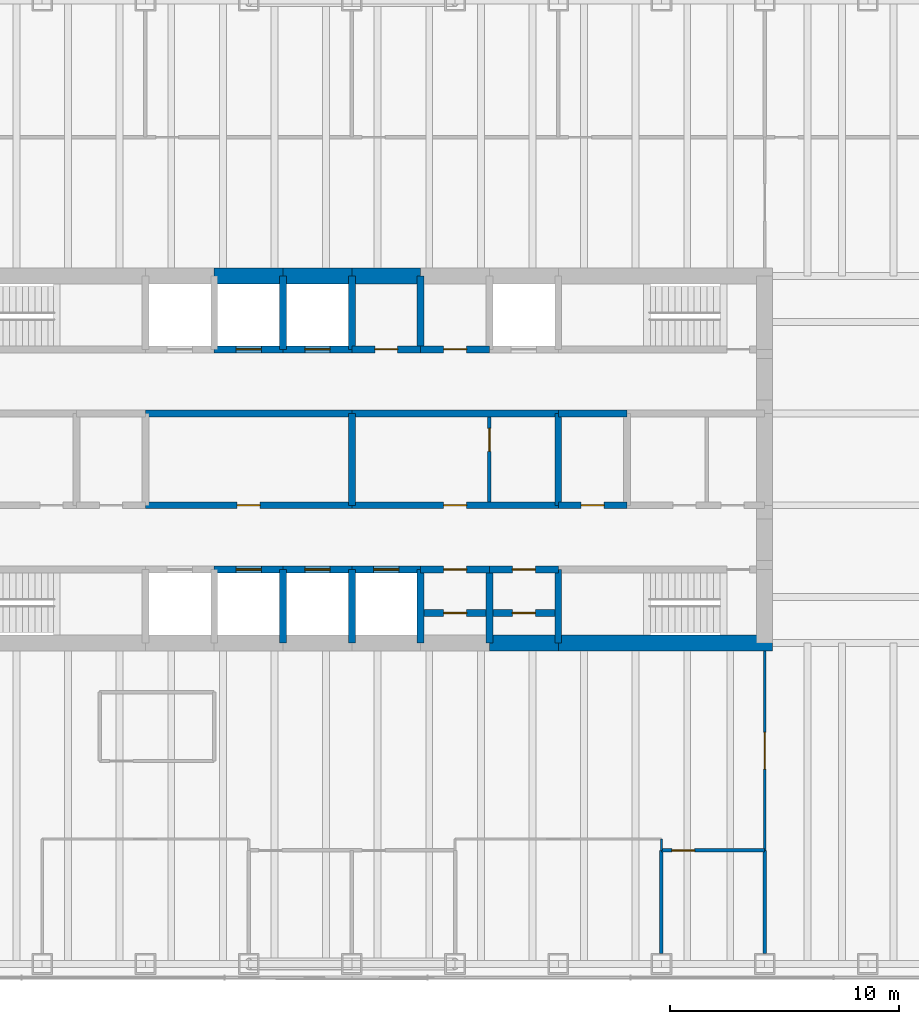
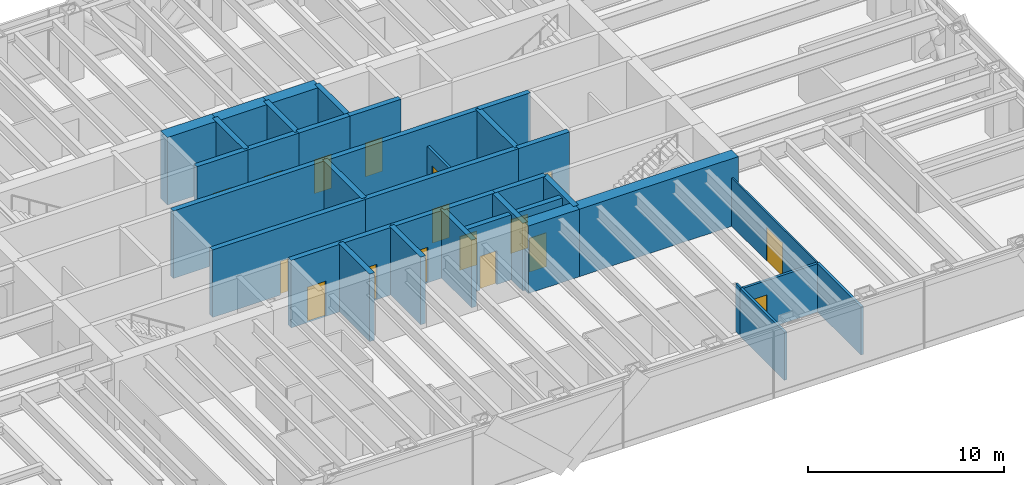
# One storey, part 12 of 15: 38 walls, 17 doors, 17 openings.
"""IFC4 building model written with IfcOpenShell, lengths in metres."""

import ifcopenshell
import ifcopenshell.guid

model = None  # the IFC model being written
_history = None  # IfcOwnerHistory: only IFC2X3 demands one
_inside = {}  # id of a spatial element -> (the spatial element, [elements in it])
_under = {}  # id of a project, library or spatial element -> (it, [spatial elements below it])
_declared = {}  # id of a project -> (the project, [libraries it declares])
_typed = {}  # id of a type object -> (the type object, [elements of that type])
_made_of = {}  # id of a material, layer set ... -> (it, [elements and type objects made of it])


def new_model(schema):
    """Start an empty IFC model of exactly this schema.

    Asked for "IFC4X3", IfcOpenShell would pick the latest addendum, in which some entities
    have other attributes; the version numbers below select the first issue.
    IFC2X3 requires an IfcOwnerHistory on every rooted entity: one is made here for all.
    """
    global model, _history
    if schema == "IFC4X3":
        model = ifcopenshell.file(schema_version=(4, 3, 0, 0))
    else:
        model = ifcopenshell.file(schema=schema)
    _inside.clear()
    _under.clear()
    _declared.clear()
    _typed.clear()
    _made_of.clear()
    _history = None
    if model.schema == "IFC2X3":
        org = make("IfcOrganization", Name="unknown")
        user = make(
            "IfcPersonAndOrganization",
            ThePerson=make("IfcPerson", FamilyName="unknown"),
            TheOrganization=org,
        )
        app = make(
            "IfcApplication",
            ApplicationDeveloper=org,
            Version="unknown",
            ApplicationFullName="unknown",
            ApplicationIdentifier="unknown",
        )
        _history = make(
            "IfcOwnerHistory",
            OwningUser=user,
            OwningApplication=app,
            ChangeAction="ADDED",
            CreationDate=0,
        )
    return model


def make(cls, **values):
    """One entity of the class cls with the attributes given. An attribute that is None is left unset."""
    return model.create_entity(
        cls, **{name: value for name, value in values.items() if value is not None}
    )


def rooted(cls, **values):
    """An entity with a GlobalId (a new one), such as an element, a storey or a relation."""
    return make(cls, GlobalId=ifcopenshell.guid.new(), OwnerHistory=_history, **values)


def si_unit(unit_type, name, prefix=None):
    """IfcSIUnit, for example si_unit("LENGTHUNIT", "METRE", prefix="MILLI")."""
    return make("IfcSIUnit", UnitType=unit_type, Prefix=prefix, Name=name)


def assignment(units):
    """IfcUnitAssignment: the units of a project."""
    return None if units is None else make("IfcUnitAssignment", Units=units)


def point(xyz):
    """IfcCartesianPoint."""
    return None if xyz is None else make("IfcCartesianPoint", Coordinates=xyz)


def direction(xyz):
    """IfcDirection."""
    return None if xyz is None else make("IfcDirection", DirectionRatios=xyz)


def frame(location, z_axis=None, x_axis=None):
    """IfcAxis2Placement3D, a coordinate frame: its origin and axes. An axis left out is left unset."""
    return make(
        "IfcAxis2Placement3D",
        Location=point(location),
        Axis=direction(z_axis),
        RefDirection=direction(x_axis),
    )


def frame_2d(location, x_axis=None):
    """IfcAxis2Placement2D, a coordinate frame in the plane: its origin and x axis."""
    return make(
        "IfcAxis2Placement2D", Location=point(location), RefDirection=direction(x_axis)
    )


def origin():
    """The frame at (0, 0, 0) with its axes left unset."""
    return frame((0.0, 0.0, 0.0))


def place(relative_to, where):
    """IfcLocalPlacement: puts the frame where relative to a parent placement (None: the world)."""
    return make(
        "IfcLocalPlacement", PlacementRelTo=relative_to, RelativePlacement=where
    )


def context(
    kind, dimensions, precision=None, world=None, true_north=None, identifier=None
):
    """IfcGeometricRepresentationContext, for example the 3D "Model" context."""
    return make(
        "IfcGeometricRepresentationContext",
        ContextIdentifier=identifier,
        ContextType=kind,
        CoordinateSpaceDimension=dimensions,
        Precision=precision,
        WorldCoordinateSystem=world,
        TrueNorth=true_north,
    )


def subcontext(parent, identifier, kind, view, scale=None):
    """IfcGeometricRepresentationSubContext, for example "Body" below "Model"."""
    return make(
        "IfcGeometricRepresentationSubContext",
        ContextIdentifier=identifier,
        ContextType=kind,
        ParentContext=parent,
        TargetScale=scale,
        TargetView=view,
    )


def project(units=None, contexts=None):
    """IfcProject with its units and contexts."""
    return rooted(
        "IfcProject",
        Name="project",
        RepresentationContexts=contexts,
        UnitsInContext=assignment(units),
    )


def spatial(cls, under=None, at=None, **own):
    """A site, building, storey or space (cls), placed at a placement, below another one or the project."""
    s = rooted(cls, ObjectPlacement=at, **own)
    if under is not None:
        _under.setdefault(under.id(), (under, []))[1].append(s)
    return s


def profile(cls, at=None, kind="AREA", **sizes):
    """A parametric profile (cls). Its sizes go by their IFC names, for example OverallWidth=200.0."""
    return make(cls, ProfileType=kind, Position=at, **sizes)


def rectangle(**sizes):
    """IfcRectangleProfileDef."""
    return profile("IfcRectangleProfileDef", **sizes)


def extrude(swept, where, along, depth):
    """IfcExtrudedAreaSolid: the profile swept, set in the frame where, extruded along a direction by depth."""
    return make(
        "IfcExtrudedAreaSolid",
        SweptArea=swept,
        Position=where,
        ExtrudedDirection=direction(along),
        Depth=depth,
    )


def shape(context_of_items, identifier, shape_type, items):
    """IfcShapeRepresentation: the items that make up one representation, for example the "Body"."""
    return make(
        "IfcShapeRepresentation",
        ContextOfItems=context_of_items,
        RepresentationIdentifier=identifier,
        RepresentationType=shape_type,
        Items=items,
    )


def material(Name=None, Category=None):
    """IfcMaterial."""
    return make("IfcMaterial", Name=Name, Category=Category)


def layer(
    of_material, thickness, ventilated=None, Name=None, Category=None, Priority=None
):
    """IfcMaterialLayer: one layer of a wall or slab, of a material (None: an air gap)."""
    return make(
        "IfcMaterialLayer",
        Material=of_material,
        LayerThickness=thickness,
        IsVentilated=ventilated,
        Name=Name,
        Category=Category,
        Priority=Priority,
    )


def layer_set(layers, Name=None):
    """IfcMaterialLayerSet."""
    return make("IfcMaterialLayerSet", MaterialLayers=layers, LayerSetName=Name)


def made_of(thing, what):
    """Note that an element or type object is made of a material, layer set ...; save() writes the relation."""
    if what is not None:
        _made_of.setdefault(what.id(), (what, []))[1].append(thing)
    return thing


def type_object(cls, material=None, **own):
    """A type object (cls), such as IfcWallType, which elements share."""
    return made_of(rooted(cls, **own), material)


def element(
    cls,
    number,
    at=None,
    inside=None,
    cuts=None,
    type_object=None,
    material=None,
    context=None,
    identifier="Body",
    shape_type=None,
    held_by="IfcProductDefinitionShape",
    body=None,
    shapes=None,
    **own,
):
    """One element of the class cls, such as IfcWall. Its Tag is "e" and its number.

    at: its placement. inside: the storey or other place that contains it. cuts: it is an
    opening in that element (IfcRelVoidsElement). A single representation is given by context,
    identifier, shape_type and body (its items); several are given by shapes. held_by: the class
    of the entity that holds the representations. save() writes the other relations.
    """
    e = rooted(cls, Tag="e%d" % number, ObjectPlacement=at, **own)
    if body is not None:
        shapes = [shape(context, identifier, shape_type, body)]
    if shapes is not None:
        e.Representation = make(held_by, Representations=shapes)
    if inside is not None:
        _inside.setdefault(inside.id(), (inside, []))[1].append(e)
    if cuts is not None:
        rooted(
            "IfcRelVoidsElement", RelatingBuildingElement=cuts, RelatedOpeningElement=e
        )
    if type_object is not None:
        _typed.setdefault(type_object.id(), (type_object, []))[1].append(e)
    return made_of(e, material)


def fill(opening, filler):
    """IfcRelFillsElement: the door or window that sits in an opening."""
    return rooted(
        "IfcRelFillsElement",
        RelatingOpeningElement=opening,
        RelatedBuildingElement=filler,
    )


def aggregate(whole, parts):
    """IfcRelAggregates: a whole, such as a stair, and the parts it consists of."""
    return rooted("IfcRelAggregates", RelatingObject=whole, RelatedObjects=parts)


def save(model, path):
    """Write the relations noted so far, then the file.

    IfcRelAggregates (storeys below a building ...), IfcRelContainedInSpatialStructure (elements
    in a storey), IfcRelDefinesByType, IfcRelAssociatesMaterial and IfcRelDeclares: one each for
    every whole, place, type object, material and project.
    """
    for whole, parts in _under.values():
        aggregate(whole, parts)
    for where, things in _inside.values():
        rooted(
            "IfcRelContainedInSpatialStructure",
            RelatedElements=things,
            RelatingStructure=where,
        )
    for kind, things in _typed.values():
        rooted("IfcRelDefinesByType", RelatedObjects=things, RelatingType=kind)
    for what, things in _made_of.values():
        rooted("IfcRelAssociatesMaterial", RelatedObjects=things, RelatingMaterial=what)
    for by, libraries in _declared.values():
        rooted("IfcRelDeclares", RelatingContext=by, RelatedDefinitions=libraries)
    model.write(path)


model = new_model("IFC4")

# Units and contexts
model_context = context("Model", 3, precision=1e-05, world=origin(), true_north=direction((0.0, 1.0)))
body_context = subcontext(model_context, "Body", "Model", "MODEL_VIEW")
ifc_project = project(units=[si_unit("LENGTHUNIT", "METRE"), si_unit("AREAUNIT", "SQUARE_METRE"), si_unit("VOLUMEUNIT", "CUBIC_METRE"), si_unit("PLANEANGLEUNIT", "RADIAN"), si_unit("MASSUNIT", "GRAM", prefix="KILO")], contexts=[model_context])

# Site, building, storey
site_placement = place(None, origin())
site = spatial("IfcSite", under=ifc_project, at=site_placement, CompositionType="ELEMENT")
building_placement = place(site_placement, origin())
building = spatial("IfcBuilding", under=site, at=building_placement, Name="Rheinbord Bourse Tower", CompositionType="ELEMENT")
storey_placement = place(building_placement, frame((0.0, 0.0, 275.300048828125)))
storey = spatial("IfcBuildingStorey", under=building, at=storey_placement, Name="L62", CompositionType="ELEMENT", Elevation=275.300048828125)

# Wall, opening, door
ifc_material_1 = material(Name="Concrete C50/60", Category="concrete")
ifc_layer_1 = layer(ifc_material_1, 0.300048828125)
ifc_layer_set_1 = layer_set([ifc_layer_1], Name="CORE INNER WALL 300")
wall_type_1 = type_object("IfcWallType", Name="CORE INNER WALL 300", PredefinedType="SOLIDWALL", material=ifc_layer_set_1)
wall_1_placement = place(storey_placement, frame((30.0, 19.199951171875, 0.0), z_axis=(0.0, 0.0, 1.0), x_axis=(1.0, 0.0, 0.0)))
wall_1 = element("IfcWall", 1, at=wall_1_placement, inside=storey, type_object=wall_type_1, Name="Core wall A3 L62", PredefinedType="SOLIDWALL", context=body_context, shape_type="SweptSolid", body=[
    extrude(rectangle(XDim=3.0, YDim=0.300048828125, at=frame_2d((1.5, 0.0))), origin(), (0.0, 0.0, 1.0), 4.199951171875),
])
opening_1_placement = place(wall_1_placement, frame((0.949951171875, 0.0, 0.0)))
opening_1 = element("IfcOpeningElement", 2, at=opening_1_placement, cuts=wall_1, Name="Opening PD1", PredefinedType="OPENING", context=body_context, shape_type="SweptSolid", body=[
    extrude(rectangle(XDim=1.10009765625, YDim=2.199951171875, at=frame_2d((0.550048828125, 1.10009765625))), frame((0.0, 0.159912109375, 0.0), z_axis=(0.0, -1.0, 0.0), x_axis=(1.0, 0.0, 0.0)), (0.0, 0.0, 1.0), 0.320068359375),
])
ifc_material_2 = material(Name="Steel landing door", Category="steel")
door_type_1 = type_object("IfcDoorType", Name="LIFT LANDING DOOR 1100", OperationType="DOUBLE_DOOR_SLIDING", PredefinedType="USERDEFINED", material=ifc_material_2)
door_1_placement = place(opening_1_placement, origin())
door_1 = element("IfcDoor", 3, at=door_1_placement, inside=storey, type_object=door_type_1, Name="Lift landing door PD1 L62", ObjectType="LIFT LANDING DOOR", OperationType="DOUBLE_DOOR_SLIDING", OverallHeight=2.199951171875, OverallWidth=1.10009765625, PredefinedType="USERDEFINED", context=body_context, shape_type="SweptSolid", body=[
    extrude(rectangle(XDim=1.10009765625, YDim=2.199951171875, at=frame_2d((0.550048828125, 1.10009765625))), frame((0.0, 0.02490234375, 0.0), z_axis=(0.0, -1.0, 0.0), x_axis=(1.0, 0.0, 0.0)), (0.0, 0.0, 1.0), 0.050048828125),
])
fill(opening_1, door_1)

wall_2_placement = place(storey_placement, frame((33.0, 19.199951171875, 0.0), z_axis=(0.0, 0.0, 1.0), x_axis=(1.0, 0.0, 0.0)))
wall_2 = element("IfcWall", 4, at=wall_2_placement, inside=storey, type_object=wall_type_1, Name="Core wall A4 L62", PredefinedType="SOLIDWALL", context=body_context, shape_type="SweptSolid", body=[
    extrude(rectangle(XDim=3.0, YDim=0.300048828125, at=frame_2d((1.5, 0.0))), origin(), (0.0, 0.0, 1.0), 4.199951171875),
])
opening_2_placement = place(wall_2_placement, frame((0.949951171875, 0.0, 0.0)))
opening_2 = element("IfcOpeningElement", 5, at=opening_2_placement, cuts=wall_2, Name="Opening PD2", PredefinedType="OPENING", context=body_context, shape_type="SweptSolid", body=[
    extrude(rectangle(XDim=1.10009765625, YDim=2.199951171875, at=frame_2d((0.550048828125, 1.10009765625))), frame((0.0, 0.159912109375, 0.0), z_axis=(0.0, -1.0, 0.0), x_axis=(1.0, 0.0, 0.0)), (0.0, 0.0, 1.0), 0.320068359375),
])
door_2_placement = place(opening_2_placement, origin())
door_2 = element("IfcDoor", 6, at=door_2_placement, inside=storey, type_object=door_type_1, Name="Lift landing door PD2 L62", ObjectType="LIFT LANDING DOOR", OperationType="DOUBLE_DOOR_SLIDING", OverallHeight=2.199951171875, OverallWidth=1.10009765625, PredefinedType="USERDEFINED", context=body_context, shape_type="SweptSolid", body=[
    extrude(rectangle(XDim=1.10009765625, YDim=2.199951171875, at=frame_2d((0.550048828125, 1.10009765625))), frame((0.0, 0.02490234375, 0.0), z_axis=(0.0, -1.0, 0.0), x_axis=(1.0, 0.0, 0.0)), (0.0, 0.0, 1.0), 0.050048828125),
])
fill(opening_2, door_2)

wall_3_placement = place(storey_placement, frame((36.0, 19.199951171875, 0.0), z_axis=(0.0, 0.0, 1.0), x_axis=(1.0, 0.0, 0.0)))
wall_3 = element("IfcWall", 7, at=wall_3_placement, inside=storey, type_object=wall_type_1, Name="Core wall A5 L62", PredefinedType="SOLIDWALL", context=body_context, shape_type="SweptSolid", body=[
    extrude(rectangle(XDim=3.0, YDim=0.300048828125, at=frame_2d((1.5, 0.0))), origin(), (0.0, 0.0, 1.0), 4.199951171875),
])
opening_3_placement = place(wall_3_placement, frame((0.949951171875, 0.0, 0.0)))
opening_3 = element("IfcOpeningElement", 8, at=opening_3_placement, cuts=wall_3, Name="Opening PD3", PredefinedType="OPENING", context=body_context, shape_type="SweptSolid", body=[
    extrude(rectangle(XDim=1.10009765625, YDim=2.199951171875, at=frame_2d((0.550048828125, 1.10009765625))), frame((0.0, 0.159912109375, 0.0), z_axis=(0.0, -1.0, 0.0), x_axis=(1.0, 0.0, 0.0)), (0.0, 0.0, 1.0), 0.320068359375),
])
door_3_placement = place(opening_3_placement, origin())
door_3 = element("IfcDoor", 9, at=door_3_placement, inside=storey, type_object=door_type_1, Name="Lift landing door PD3 L62", ObjectType="LIFT LANDING DOOR", OperationType="DOUBLE_DOOR_SLIDING", OverallHeight=2.199951171875, OverallWidth=1.10009765625, PredefinedType="USERDEFINED", context=body_context, shape_type="SweptSolid", body=[
    extrude(rectangle(XDim=1.10009765625, YDim=2.199951171875, at=frame_2d((0.550048828125, 1.10009765625))), frame((0.0, 0.02490234375, 0.0), z_axis=(0.0, -1.0, 0.0), x_axis=(1.0, 0.0, 0.0)), (0.0, 0.0, 1.0), 0.050048828125),
])
fill(opening_3, door_3)

wall_4_placement = place(storey_placement, frame((39.0, 19.199951171875, 0.0), z_axis=(0.0, 0.0, 1.0), x_axis=(1.0, 0.0, 0.0)))
wall_4 = element("IfcWall", 10, at=wall_4_placement, inside=storey, type_object=wall_type_1, Name="Core wall A6 L62", PredefinedType="SOLIDWALL", context=body_context, shape_type="SweptSolid", body=[
    extrude(rectangle(XDim=3.0, YDim=0.300048828125, at=frame_2d((1.5, 0.0))), origin(), (0.0, 0.0, 1.0), 4.199951171875),
])
opening_4_placement = place(wall_4_placement, frame((1.0, 0.0, 0.0)))
opening_4 = element("IfcOpeningElement", 11, at=opening_4_placement, cuts=wall_4, Name="Opening 62R8", PredefinedType="OPENING", context=body_context, shape_type="SweptSolid", body=[
    extrude(rectangle(XDim=1.0, YDim=2.10009765625, at=frame_2d((0.5, 1.050048828125))), frame((0.0, 0.159912109375, 0.0), z_axis=(0.0, -1.0, 0.0), x_axis=(1.0, 0.0, 0.0)), (0.0, 0.0, 1.0), 0.320068359375),
])
ifc_material_3 = material(Name="Steel door", Category="steel")
door_type_2 = type_object("IfcDoorType", Name="DOOR 1000 EI30", OperationType="SINGLE_SWING_LEFT", PredefinedType="DOOR", material=ifc_material_3)
door_4_placement = place(opening_4_placement, origin())
door_4 = element("IfcDoor", 12, at=door_4_placement, inside=storey, type_object=door_type_2, Name="Supplies store door L62", OperationType="SINGLE_SWING_LEFT", OverallHeight=2.10009765625, OverallWidth=1.0, PredefinedType="DOOR", context=body_context, shape_type="SweptSolid", body=[
    extrude(rectangle(XDim=1.0, YDim=2.10009765625, at=frame_2d((0.5, 1.050048828125))), frame((0.0, 0.02490234375, 0.0), z_axis=(0.0, -1.0, 0.0), x_axis=(1.0, 0.0, 0.0)), (0.0, 0.0, 1.0), 0.050048828125),
])
fill(opening_4, door_4)

wall_5_placement = place(storey_placement, frame((42.0, 19.199951171875, 0.0), z_axis=(0.0, 0.0, 1.0), x_axis=(1.0, 0.0, 0.0)))
wall_5 = element("IfcWall", 13, at=wall_5_placement, inside=storey, type_object=wall_type_1, Name="Core wall A7 L62", PredefinedType="SOLIDWALL", context=body_context, shape_type="SweptSolid", body=[
    extrude(rectangle(XDim=3.0, YDim=0.300048828125, at=frame_2d((1.5, 0.0))), origin(), (0.0, 0.0, 1.0), 4.199951171875),
])
opening_5_placement = place(wall_5_placement, frame((1.0, 0.0, 0.0)))
opening_5 = element("IfcOpeningElement", 14, at=opening_5_placement, cuts=wall_5, Name="Opening 62R9", PredefinedType="OPENING", context=body_context, shape_type="SweptSolid", body=[
    extrude(rectangle(XDim=1.0, YDim=2.10009765625, at=frame_2d((0.5, 1.050048828125))), frame((0.0, 0.159912109375, 0.0), z_axis=(0.0, -1.0, 0.0), x_axis=(1.0, 0.0, 0.0)), (0.0, 0.0, 1.0), 0.320068359375),
])
door_5_placement = place(opening_5_placement, origin())
door_5 = element("IfcDoor", 15, at=door_5_placement, inside=storey, type_object=door_type_2, Name="Cleaner's store door L62", OperationType="SINGLE_SWING_LEFT", OverallHeight=2.10009765625, OverallWidth=1.0, PredefinedType="DOOR", context=body_context, shape_type="SweptSolid", body=[
    extrude(rectangle(XDim=1.0, YDim=2.10009765625, at=frame_2d((0.5, 1.050048828125))), frame((0.0, 0.02490234375, 0.0), z_axis=(0.0, -1.0, 0.0), x_axis=(1.0, 0.0, 0.0)), (0.0, 0.0, 1.0), 0.050048828125),
])
fill(opening_5, door_5)

wall_6_placement = place(storey_placement, frame((30.0, 28.800048828125, 0.0), z_axis=(0.0, 0.0, 1.0), x_axis=(1.0, 0.0, 0.0)))
wall_6 = element("IfcWall", 16, at=wall_6_placement, inside=storey, type_object=wall_type_1, Name="Core wall B3 L62", PredefinedType="SOLIDWALL", context=body_context, shape_type="SweptSolid", body=[
    extrude(rectangle(XDim=3.0, YDim=0.300048828125, at=frame_2d((1.5, 0.0))), origin(), (0.0, 0.0, 1.0), 4.199951171875),
])
opening_6_placement = place(wall_6_placement, frame((0.949951171875, 0.0, 0.0)))
opening_6 = element("IfcOpeningElement", 17, at=opening_6_placement, cuts=wall_6, Name="Opening PD4", PredefinedType="OPENING", context=body_context, shape_type="SweptSolid", body=[
    extrude(rectangle(XDim=1.10009765625, YDim=2.199951171875, at=frame_2d((0.550048828125, 1.10009765625))), frame((0.0, 0.159912109375, 0.0), z_axis=(0.0, -1.0, 0.0), x_axis=(1.0, 0.0, 0.0)), (0.0, 0.0, 1.0), 0.320068359375),
])
door_6_placement = place(opening_6_placement, origin())
door_6 = element("IfcDoor", 18, at=door_6_placement, inside=storey, type_object=door_type_1, Name="Lift landing door PD4 L62", ObjectType="LIFT LANDING DOOR", OperationType="DOUBLE_DOOR_SLIDING", OverallHeight=2.199951171875, OverallWidth=1.10009765625, PredefinedType="USERDEFINED", context=body_context, shape_type="SweptSolid", body=[
    extrude(rectangle(XDim=1.10009765625, YDim=2.199951171875, at=frame_2d((0.550048828125, 1.10009765625))), frame((0.0, 0.02490234375, 0.0), z_axis=(0.0, -1.0, 0.0), x_axis=(1.0, 0.0, 0.0)), (0.0, 0.0, 1.0), 0.050048828125),
])
fill(opening_6, door_6)

wall_7_placement = place(storey_placement, frame((33.0, 28.800048828125, 0.0), z_axis=(0.0, 0.0, 1.0), x_axis=(1.0, 0.0, 0.0)))
wall_7 = element("IfcWall", 19, at=wall_7_placement, inside=storey, type_object=wall_type_1, Name="Core wall B4 L62", PredefinedType="SOLIDWALL", context=body_context, shape_type="SweptSolid", body=[
    extrude(rectangle(XDim=3.0, YDim=0.300048828125, at=frame_2d((1.5, 0.0))), origin(), (0.0, 0.0, 1.0), 4.199951171875),
])
opening_7_placement = place(wall_7_placement, frame((0.949951171875, 0.0, 0.0)))
opening_7 = element("IfcOpeningElement", 20, at=opening_7_placement, cuts=wall_7, Name="Opening PD5", PredefinedType="OPENING", context=body_context, shape_type="SweptSolid", body=[
    extrude(rectangle(XDim=1.10009765625, YDim=2.199951171875, at=frame_2d((0.550048828125, 1.10009765625))), frame((0.0, 0.159912109375, 0.0), z_axis=(0.0, -1.0, 0.0), x_axis=(1.0, 0.0, 0.0)), (0.0, 0.0, 1.0), 0.320068359375),
])
door_7_placement = place(opening_7_placement, origin())
door_7 = element("IfcDoor", 21, at=door_7_placement, inside=storey, type_object=door_type_1, Name="Lift landing door PD5 L62", ObjectType="LIFT LANDING DOOR", OperationType="DOUBLE_DOOR_SLIDING", OverallHeight=2.199951171875, OverallWidth=1.10009765625, PredefinedType="USERDEFINED", context=body_context, shape_type="SweptSolid", body=[
    extrude(rectangle(XDim=1.10009765625, YDim=2.199951171875, at=frame_2d((0.550048828125, 1.10009765625))), frame((0.0, 0.02490234375, 0.0), z_axis=(0.0, -1.0, 0.0), x_axis=(1.0, 0.0, 0.0)), (0.0, 0.0, 1.0), 0.050048828125),
])
fill(opening_7, door_7)

wall_8_placement = place(storey_placement, frame((36.0, 28.800048828125, 0.0), z_axis=(0.0, 0.0, 1.0), x_axis=(1.0, 0.0, 0.0)))
wall_8 = element("IfcWall", 22, at=wall_8_placement, inside=storey, type_object=wall_type_1, Name="Core wall B5 L62", PredefinedType="SOLIDWALL", context=body_context, shape_type="SweptSolid", body=[
    extrude(rectangle(XDim=3.0, YDim=0.300048828125, at=frame_2d((1.5, 0.0))), origin(), (0.0, 0.0, 1.0), 4.199951171875),
])
opening_8_placement = place(wall_8_placement, frame((1.0, 0.0, 0.0)))
opening_8 = element("IfcOpeningElement", 23, at=opening_8_placement, cuts=wall_8, Name="Opening 62R10", PredefinedType="OPENING", context=body_context, shape_type="SweptSolid", body=[
    extrude(rectangle(XDim=1.0, YDim=2.10009765625, at=frame_2d((0.5, 1.050048828125))), frame((0.0, 0.159912109375, 0.0), z_axis=(0.0, -1.0, 0.0), x_axis=(1.0, 0.0, 0.0)), (0.0, 0.0, 1.0), 0.320068359375),
])
door_8_placement = place(opening_8_placement, origin())
door_8 = element("IfcDoor", 24, at=door_8_placement, inside=storey, type_object=door_type_2, Name="Pantry door L62", OperationType="SINGLE_SWING_LEFT", OverallHeight=2.10009765625, OverallWidth=1.0, PredefinedType="DOOR", context=body_context, shape_type="SweptSolid", body=[
    extrude(rectangle(XDim=1.0, YDim=2.10009765625, at=frame_2d((0.5, 1.050048828125))), frame((0.0, 0.02490234375, 0.0), z_axis=(0.0, -1.0, 0.0), x_axis=(1.0, 0.0, 0.0)), (0.0, 0.0, 1.0), 0.050048828125),
])
fill(opening_8, door_8)

wall_9_placement = place(storey_placement, frame((39.0, 28.800048828125, 0.0), z_axis=(0.0, 0.0, 1.0), x_axis=(1.0, 0.0, 0.0)))
wall_9 = element("IfcWall", 25, at=wall_9_placement, inside=storey, type_object=wall_type_1, Name="Core wall B6 L62", PredefinedType="SOLIDWALL", context=body_context, shape_type="SweptSolid", body=[
    extrude(rectangle(XDim=3.0, YDim=0.300048828125, at=frame_2d((1.5, 0.0))), origin(), (0.0, 0.0, 1.0), 4.199951171875),
])
opening_9_placement = place(wall_9_placement, frame((1.0, 0.0, 0.0)))
opening_9 = element("IfcOpeningElement", 26, at=opening_9_placement, cuts=wall_9, Name="Opening 62R11", PredefinedType="OPENING", context=body_context, shape_type="SweptSolid", body=[
    extrude(rectangle(XDim=1.0, YDim=2.10009765625, at=frame_2d((0.5, 1.050048828125))), frame((0.0, 0.159912109375, 0.0), z_axis=(0.0, -1.0, 0.0), x_axis=(1.0, 0.0, 0.0)), (0.0, 0.0, 1.0), 0.320068359375),
])
door_9_placement = place(opening_9_placement, origin())
door_9 = element("IfcDoor", 27, at=door_9_placement, inside=storey, type_object=door_type_2, Name="Archive store door L62", OperationType="SINGLE_SWING_LEFT", OverallHeight=2.10009765625, OverallWidth=1.0, PredefinedType="DOOR", context=body_context, shape_type="SweptSolid", body=[
    extrude(rectangle(XDim=1.0, YDim=2.10009765625, at=frame_2d((0.5, 1.050048828125))), frame((0.0, 0.02490234375, 0.0), z_axis=(0.0, -1.0, 0.0), x_axis=(1.0, 0.0, 0.0)), (0.0, 0.0, 1.0), 0.050048828125),
])
fill(opening_9, door_9)

wall_10_placement = place(storey_placement, frame((27.0, 22.0, 0.0), z_axis=(0.0, 0.0, 1.0), x_axis=(1.0, 0.0, 0.0)))
wall_10 = element("IfcWall", 28, at=wall_10_placement, inside=storey, type_object=wall_type_1, Name="Core wall C3 L62", PredefinedType="SOLIDWALL", context=body_context, shape_type="SweptSolid", body=[
    extrude(rectangle(XDim=9.0, YDim=0.300048828125, at=frame_2d((4.5, 0.0))), origin(), (0.0, 0.0, 1.0), 4.199951171875),
])
opening_10_placement = place(wall_10_placement, frame((4.0, 0.0, 0.0)))
opening_10 = element("IfcOpeningElement", 29, at=opening_10_placement, cuts=wall_10, Name="Opening 62R3", PredefinedType="OPENING", context=body_context, shape_type="SweptSolid", body=[
    extrude(rectangle(XDim=1.0, YDim=2.10009765625, at=frame_2d((0.5, 1.050048828125))), frame((0.0, 0.159912109375, 0.0), z_axis=(0.0, -1.0, 0.0), x_axis=(1.0, 0.0, 0.0)), (0.0, 0.0, 1.0), 0.320068359375),
])
door_10_placement = place(opening_10_placement, origin())
door_10 = element("IfcDoor", 30, at=door_10_placement, inside=storey, type_object=door_type_2, Name="Riser door L62", OperationType="SINGLE_SWING_LEFT", OverallHeight=2.10009765625, OverallWidth=1.0, PredefinedType="DOOR", context=body_context, shape_type="SweptSolid", body=[
    extrude(rectangle(XDim=1.0, YDim=2.10009765625, at=frame_2d((0.5, 1.050048828125))), frame((0.0, 0.02490234375, 0.0), z_axis=(0.0, -1.0, 0.0), x_axis=(1.0, 0.0, 0.0)), (0.0, 0.0, 1.0), 0.050048828125),
])
fill(opening_10, door_10)

wall_11_placement = place(storey_placement, frame((36.0, 22.0, 0.0), z_axis=(0.0, 0.0, 1.0), x_axis=(1.0, 0.0, 0.0)))
wall_11 = element("IfcWall", 31, at=wall_11_placement, inside=storey, type_object=wall_type_1, Name="Core wall C4 L62", PredefinedType="SOLIDWALL", context=body_context, shape_type="SweptSolid", body=[
    extrude(rectangle(XDim=9.0, YDim=0.300048828125, at=frame_2d((4.5, 0.0))), origin(), (0.0, 0.0, 1.0), 4.199951171875),
])
opening_11_placement = place(wall_11_placement, frame((4.0, 0.0, 0.0)))
opening_11 = element("IfcOpeningElement", 32, at=opening_11_placement, cuts=wall_11, Name="Opening 62R4", PredefinedType="OPENING", context=body_context, shape_type="SweptSolid", body=[
    extrude(rectangle(XDim=1.0, YDim=2.10009765625, at=frame_2d((0.5, 1.050048828125))), frame((0.0, 0.159912109375, 0.0), z_axis=(0.0, -1.0, 0.0), x_axis=(1.0, 0.0, 0.0)), (0.0, 0.0, 1.0), 0.320068359375),
])
door_11_placement = place(opening_11_placement, origin())
door_11 = element("IfcDoor", 33, at=door_11_placement, inside=storey, type_object=door_type_2, Name="IT room door L62", OperationType="SINGLE_SWING_LEFT", OverallHeight=2.10009765625, OverallWidth=1.0, PredefinedType="DOOR", context=body_context, shape_type="SweptSolid", body=[
    extrude(rectangle(XDim=1.0, YDim=2.10009765625, at=frame_2d((0.5, 1.050048828125))), frame((0.0, 0.02490234375, 0.0), z_axis=(0.0, -1.0, 0.0), x_axis=(1.0, 0.0, 0.0)), (0.0, 0.0, 1.0), 0.050048828125),
])
fill(opening_11, door_11)

wall_12_placement = place(storey_placement, frame((45.0, 22.0, 0.0), z_axis=(0.0, 0.0, 1.0), x_axis=(1.0, 0.0, 0.0)))
wall_12 = element("IfcWall", 34, at=wall_12_placement, inside=storey, type_object=wall_type_1, Name="Core wall C5 L62", PredefinedType="SOLIDWALL", context=body_context, shape_type="SweptSolid", body=[
    extrude(rectangle(XDim=3.0, YDim=0.300048828125, at=frame_2d((1.5, 0.0))), origin(), (0.0, 0.0, 1.0), 4.199951171875),
])
opening_12_placement = place(wall_12_placement, frame((1.0, 0.0, 0.0)))
opening_12 = element("IfcOpeningElement", 35, at=opening_12_placement, cuts=wall_12, Name="Opening 62R5", PredefinedType="OPENING", context=body_context, shape_type="SweptSolid", body=[
    extrude(rectangle(XDim=1.0, YDim=2.10009765625, at=frame_2d((0.5, 1.050048828125))), frame((0.0, 0.159912109375, 0.0), z_axis=(0.0, -1.0, 0.0), x_axis=(1.0, 0.0, 0.0)), (0.0, 0.0, 1.0), 0.320068359375),
])
ifc_material_4 = material(Name="Timber door", Category="wood")
door_type_3 = type_object("IfcDoorType", Name="DOOR 1000 WC", OperationType="SINGLE_SWING_LEFT", PredefinedType="DOOR", material=ifc_material_4)
door_12_placement = place(opening_12_placement, origin())
door_12 = element("IfcDoor", 36, at=door_12_placement, inside=storey, type_object=door_type_3, Name="Accessible WC door L62", OperationType="SINGLE_SWING_LEFT", OverallHeight=2.10009765625, OverallWidth=1.0, PredefinedType="DOOR", context=body_context, shape_type="SweptSolid", body=[
    extrude(rectangle(XDim=1.0, YDim=2.10009765625, at=frame_2d((0.5, 1.050048828125))), frame((0.0, 0.02490234375, 0.0), z_axis=(0.0, -1.0, 0.0), x_axis=(1.0, 0.0, 0.0)), (0.0, 0.0, 1.0), 0.050048828125),
])
fill(opening_12, door_12)

# Walls
for number, where, z_axis, x_axis, name in (
    (37, (27.0, 26.0, 0.0), (0.0, 0.0, 1.0), (1.0, 0.0, 0.0), "Core wall D3 L62"),
    (38, (36.0, 26.0, 0.0), (0.0, 0.0, 1.0), (1.0, 0.0, 0.0), "Core wall D4 L62"),
):
    element("IfcWall", number, at=place(storey_placement, frame(where, z_axis=z_axis, x_axis=x_axis)), inside=storey, type_object=wall_type_1, Name=name, PredefinedType="SOLIDWALL", context=body_context, shape_type="SweptSolid", body=[
        extrude(rectangle(XDim=9.0, YDim=0.300048828125, at=frame_2d((4.5, 0.0))), origin(), (0.0, 0.0, 1.0), 4.199951171875),
    ])
wall_13_placement = place(storey_placement, frame((45.0, 26.0, 0.0), z_axis=(0.0, 0.0, 1.0), x_axis=(1.0, 0.0, 0.0)))
element("IfcWall", 39, at=wall_13_placement, inside=storey, type_object=wall_type_1, Name="Core wall D5 L62", PredefinedType="SOLIDWALL", context=body_context, shape_type="SweptSolid", body=[
    extrude(rectangle(XDim=3.0, YDim=0.300048828125, at=frame_2d((1.5, 0.0))), origin(), (0.0, 0.0, 1.0), 4.199951171875),
])
for number, where, z_axis, x_axis, name in (
    (40, (33.0, 16.0, 0.0), (0.0, 0.0, 1.0), (0.0, 1.0, 0.0), "Core wall SX33 L62"),
    (41, (33.0, 28.800048828125, 0.0), (0.0, 0.0, 1.0), (0.0, 1.0, 0.0), "Core wall NX33 L62"),
    (42, (36.0, 16.0, 0.0), (0.0, 0.0, 1.0), (0.0, 1.0, 0.0), "Core wall SX36 L62"),
    (43, (36.0, 28.800048828125, 0.0), (0.0, 0.0, 1.0), (0.0, 1.0, 0.0), "Core wall NX36 L62"),
    (44, (39.0, 16.0, 0.0), (0.0, 0.0, 1.0), (0.0, 1.0, 0.0), "Core wall SX39 L62"),
    (45, (39.0, 28.800048828125, 0.0), (0.0, 0.0, 1.0), (0.0, 1.0, 0.0), "Core wall NX39 L62"),
    (46, (42.0, 16.0, 0.0), (0.0, 0.0, 1.0), (0.0, 1.0, 0.0), "Core wall SX42 L62"),
    (47, (45.0, 16.0, 0.0), (0.0, 0.0, 1.0), (0.0, 1.0, 0.0), "Core wall SX45 L62"),
):
    element("IfcWall", number, at=place(storey_placement, frame(where, z_axis=z_axis, x_axis=x_axis)), inside=storey, type_object=wall_type_1, Name=name, PredefinedType="SOLIDWALL", context=body_context, shape_type="SweptSolid", body=[
        extrude(rectangle(XDim=3.199951171875, YDim=0.300048828125, at=frame_2d((1.60009765625, 0.0))), origin(), (0.0, 0.0, 1.0), 4.199951171875),
    ])
for number, where, z_axis, x_axis, name in (
    (48, (36.0, 22.0, 0.0), (0.0, 0.0, 1.0), (0.0, 1.0, 0.0), "Core wall MX36 L62"),
    (49, (45.0, 22.0, 0.0), (0.0, 0.0, 1.0), (0.0, 1.0, 0.0), "Core wall MX45 L62"),
):
    element("IfcWall", number, at=place(storey_placement, frame(where, z_axis=z_axis, x_axis=x_axis)), inside=storey, type_object=wall_type_1, Name=name, PredefinedType="SOLIDWALL", context=body_context, shape_type="SweptSolid", body=[
        extrude(rectangle(XDim=4.0, YDim=0.300048828125, at=frame_2d((2.0, 0.0))), origin(), (0.0, 0.0, 1.0), 4.199951171875),
    ])

# Wall, opening, door
wall_14_placement = place(storey_placement, frame((39.14990234375, 17.300048828125, 0.0), z_axis=(0.0, 0.0, 1.0), x_axis=(1.0, 0.0, 0.0)))
wall_14 = element("IfcWall", 50, at=wall_14_placement, inside=storey, type_object=wall_type_1, Name="Core riser wall L62-6", PredefinedType="SOLIDWALL", context=body_context, shape_type="SweptSolid", body=[
    extrude(rectangle(XDim=2.7001953125, YDim=0.300048828125, at=frame_2d((1.35009765625, 0.0))), origin(), (0.0, 0.0, 1.0), 4.0400390625),
])
opening_13_placement = place(wall_14_placement, frame((0.85009765625, 0.0, 0.0)))
opening_13 = element("IfcOpeningElement", 51, at=opening_13_placement, cuts=wall_14, Name="Opening 62R12", PredefinedType="OPENING", context=body_context, shape_type="SweptSolid", body=[
    extrude(rectangle(XDim=1.0, YDim=2.10009765625, at=frame_2d((0.5, 1.050048828125))), frame((0.0, 0.159912109375, 0.0), z_axis=(0.0, -1.0, 0.0), x_axis=(1.0, 0.0, 0.0)), (0.0, 0.0, 1.0), 0.320068359375),
])
door_13_placement = place(opening_13_placement, origin())
door_13 = element("IfcDoor", 52, at=door_13_placement, inside=storey, type_object=door_type_2, Name="Comms riser door L62", OperationType="SINGLE_SWING_LEFT", OverallHeight=2.10009765625, OverallWidth=1.0, PredefinedType="DOOR", context=body_context, shape_type="SweptSolid", body=[
    extrude(rectangle(XDim=1.0, YDim=2.10009765625, at=frame_2d((0.5, 1.050048828125))), frame((0.0, 0.02490234375, 0.0), z_axis=(0.0, -1.0, 0.0), x_axis=(1.0, 0.0, 0.0)), (0.0, 0.0, 1.0), 0.050048828125),
])
fill(opening_13, door_13)

wall_15_placement = place(storey_placement, frame((42.14990234375, 17.300048828125, 0.0), z_axis=(0.0, 0.0, 1.0), x_axis=(1.0, 0.0, 0.0)))
wall_15 = element("IfcWall", 53, at=wall_15_placement, inside=storey, type_object=wall_type_1, Name="Core riser wall L62-7", PredefinedType="SOLIDWALL", context=body_context, shape_type="SweptSolid", body=[
    extrude(rectangle(XDim=2.7001953125, YDim=0.300048828125, at=frame_2d((1.35009765625, 0.0))), origin(), (0.0, 0.0, 1.0), 4.0400390625),
])
opening_14_placement = place(wall_15_placement, frame((0.85009765625, 0.0, 0.0)))
opening_14 = element("IfcOpeningElement", 54, at=opening_14_placement, cuts=wall_15, Name="Opening 62R13", PredefinedType="OPENING", context=body_context, shape_type="SweptSolid", body=[
    extrude(rectangle(XDim=1.0, YDim=2.10009765625, at=frame_2d((0.5, 1.050048828125))), frame((0.0, 0.159912109375, 0.0), z_axis=(0.0, -1.0, 0.0), x_axis=(1.0, 0.0, 0.0)), (0.0, 0.0, 1.0), 0.320068359375),
])
door_14_placement = place(opening_14_placement, origin())
door_14 = element("IfcDoor", 55, at=door_14_placement, inside=storey, type_object=door_type_2, Name="Electrical riser door L62", OperationType="SINGLE_SWING_LEFT", OverallHeight=2.10009765625, OverallWidth=1.0, PredefinedType="DOOR", context=body_context, shape_type="SweptSolid", body=[
    extrude(rectangle(XDim=1.0, YDim=2.10009765625, at=frame_2d((0.5, 1.050048828125))), frame((0.0, 0.02490234375, 0.0), z_axis=(0.0, -1.0, 0.0), x_axis=(1.0, 0.0, 0.0)), (0.0, 0.0, 1.0), 0.050048828125),
])
fill(opening_14, door_14)

ifc_material_5 = material(Name="Gypsum board fire partition", Category="gypsum board")
ifc_layer_2 = layer(ifc_material_5, 0.14990234375)
ifc_layer_set_2 = layer_set([ifc_layer_2], Name="CORE PARTITION 150 EI30")
wall_type_2 = type_object("IfcWallType", Name="CORE PARTITION 150 EI30", PredefinedType="PARTITIONING", material=ifc_layer_set_2)
wall_16_placement = place(storey_placement, frame((42.0, 22.14990234375, 0.0), z_axis=(0.0, 0.0, 1.0), x_axis=(0.0, 1.0, 0.0)))
wall_16 = element("IfcWall", 56, at=wall_16_placement, inside=storey, type_object=wall_type_2, Name="Core partition L62-1", PredefinedType="PARTITIONING", context=body_context, shape_type="SweptSolid", body=[
    extrude(rectangle(XDim=3.7001953125, YDim=0.14990234375, at=frame_2d((1.85009765625, 0.0))), origin(), (0.0, 0.0, 1.0), 3.0),
])
opening_15_placement = place(wall_16_placement, frame((2.199951171875, 0.0, 0.0)))
opening_15 = element("IfcOpeningElement", 57, at=opening_15_placement, cuts=wall_16, Name="Opening 62R7", PredefinedType="OPENING", context=body_context, shape_type="SweptSolid", body=[
    extrude(rectangle(XDim=1.0, YDim=2.10009765625, at=frame_2d((0.5, 1.050048828125))), frame((0.0, 0.0849609375, 0.0), z_axis=(0.0, -1.0, 0.0), x_axis=(1.0, 0.0, 0.0)), (0.0, 0.0, 1.0), 0.169921875),
])
door_15_placement = place(opening_15_placement, origin())
door_15 = element("IfcDoor", 58, at=door_15_placement, inside=storey, type_object=door_type_2, Name="Store door L62", OperationType="SINGLE_SWING_RIGHT", OverallHeight=2.10009765625, OverallWidth=1.0, PredefinedType="DOOR", context=body_context, shape_type="SweptSolid", body=[
    extrude(rectangle(XDim=1.0, YDim=2.10009765625, at=frame_2d((0.5, 1.050048828125))), frame((0.0, 0.02490234375, 0.0), z_axis=(0.0, -1.0, 0.0), x_axis=(1.0, 0.0, 0.0)), (0.0, 0.0, 1.0), 0.050048828125),
])
fill(opening_15, door_15)

# Walls
ifc_material_6 = material(Name="Concrete C50/60", Category="concrete")
ifc_layer_3 = layer(ifc_material_6, 0.699951171875)
ifc_layer_set_3 = layer_set([ifc_layer_3], Name="CORE WALL 700")
wall_type_3 = type_object("IfcWallType", Name="CORE WALL 700", PredefinedType="SHEAR", material=ifc_layer_set_3)
wall_17_placement = place(storey_placement, frame((42.0, 16.0, 0.0), z_axis=(0.0, 0.0, 1.0), x_axis=(1.0, 0.0, 0.0)))
element("IfcWall", 59, at=wall_17_placement, inside=storey, type_object=wall_type_3, Name="Core wall S7 L62", PredefinedType="SHEAR", context=body_context, shape_type="SweptSolid", body=[
    extrude(rectangle(XDim=3.0, YDim=0.699951171875, at=frame_2d((1.5, 0.0))), origin(), (0.0, 0.0, 1.0), 4.199951171875),
])
wall_18_placement = place(storey_placement, frame((45.0, 16.0, 0.0), z_axis=(0.0, 0.0, 1.0), x_axis=(1.0, 0.0, 0.0)))
element("IfcWall", 60, at=wall_18_placement, inside=storey, type_object=wall_type_3, Name="Core wall S8 L62", PredefinedType="SHEAR", context=body_context, shape_type="SweptSolid", body=[
    extrude(rectangle(XDim=9.35009765625, YDim=0.699951171875, at=frame_2d((4.675048828125, 0.0))), origin(), (0.0, 0.0, 1.0), 4.199951171875),
])
for number, where, z_axis, x_axis, name in (
    (61, (39.0, 32.0, 0.0), (0.0, 0.0, 1.0), (-1.0, 0.0, 0.0), "Core wall N4 L62"),
    (62, (36.0, 32.0, 0.0), (0.0, 0.0, 1.0), (-1.0, 0.0, 0.0), "Core wall N5 L62"),
    (63, (33.0, 32.0, 0.0), (0.0, 0.0, 1.0), (-1.0, 0.0, 0.0), "Core wall N6 L62"),
):
    element("IfcWall", number, at=place(storey_placement, frame(where, z_axis=z_axis, x_axis=x_axis)), inside=storey, type_object=wall_type_3, Name=name, PredefinedType="SHEAR", context=body_context, shape_type="SweptSolid", body=[
        extrude(rectangle(XDim=3.0, YDim=0.699951171875, at=frame_2d((1.5, 0.0))), origin(), (0.0, 0.0, 1.0), 4.199951171875),
    ])
ifc_material_7 = material(Name="Toughened laminated glass partition", Category="glass")
ifc_layer_4 = layer(ifc_material_7, 0.10009765625)
ifc_layer_set_4 = layer_set([ifc_layer_4], Name="GLAZED PARTITION 100")
wall_type_4 = type_object("IfcWallType", Name="GLAZED PARTITION 100", PredefinedType="PARTITIONING", material=ifc_layer_set_4)
wall_19_placement = place(storey_placement, frame((49.5, 6.949951171875, 0.0), z_axis=(0.0, 0.0, 1.0), x_axis=(0.0, 1.0, 0.0)))
element("IfcWall", 64, at=wall_19_placement, inside=storey, type_object=wall_type_4, Name="Partition L62-29", PredefinedType="PARTITIONING", context=body_context, shape_type="SweptSolid", body=[
    extrude(rectangle(XDim=0.5, YDim=0.10009765625, at=frame_2d((0.25, 0.0))), origin(), (0.0, 0.0, 1.0), 3.0),
])

# Wall, opening, door
wall_20_placement = place(storey_placement, frame((54.0, 6.949951171875, 0.0), z_axis=(0.0, 0.0, 1.0), x_axis=(0.0, 1.0, 0.0)))
wall_20 = element("IfcWall", 65, at=wall_20_placement, inside=storey, type_object=wall_type_4, Name="Partition L62-31", PredefinedType="PARTITIONING", context=body_context, shape_type="SweptSolid", body=[
    extrude(rectangle(XDim=8.699951171875, YDim=0.10009765625, at=frame_2d((4.35009765625, 0.0))), origin(), (0.0, 0.0, 1.0), 3.0),
])
opening_16_placement = place(wall_20_placement, frame((3.550048828125, 0.0, 0.0)))
opening_16 = element("IfcOpeningElement", 66, at=opening_16_placement, cuts=wall_20, Name="Opening 62D18", PredefinedType="OPENING", context=body_context, shape_type="SweptSolid", body=[
    extrude(rectangle(XDim=1.60009765625, YDim=2.10009765625, at=frame_2d((0.800048828125, 1.050048828125))), frame((0.0, 0.06005859375, 0.0), z_axis=(0.0, -1.0, 0.0), x_axis=(1.0, 0.0, 0.0)), (0.0, 0.0, 1.0), 0.1201171875),
])
ifc_material_8 = material(Name="Timber door", Category="wood")
door_type_4 = type_object("IfcDoorType", Name="DOUBLE ROOM DOOR 1600", OperationType="DOUBLE_DOOR_DOUBLE_SWING", PredefinedType="DOOR", material=ifc_material_8)
door_16_placement = place(opening_16_placement, origin())
door_16 = element("IfcDoor", 67, at=door_16_placement, inside=storey, type_object=door_type_4, Name="Open area door L62", OperationType="SINGLE_SWING_LEFT", OverallHeight=2.10009765625, OverallWidth=1.60009765625, PredefinedType="DOOR", context=body_context, shape_type="SweptSolid", body=[
    extrude(rectangle(XDim=1.60009765625, YDim=2.10009765625, at=frame_2d((0.800048828125, 1.050048828125))), frame((0.0, 0.02490234375, 0.0), z_axis=(0.0, -1.0, 0.0), x_axis=(1.0, 0.0, 0.0)), (0.0, 0.0, 1.0), 0.050048828125),
])
fill(opening_16, door_16)

ifc_material_9 = material(Name="Gypsum board partition", Category="gypsum board")
ifc_layer_5 = layer(ifc_material_9, 0.14990234375)
ifc_layer_set_5 = layer_set([ifc_layer_5], Name="PARTITION 150")
wall_type_5 = type_object("IfcWallType", Name="PARTITION 150", PredefinedType="PARTITIONING", material=ifc_layer_set_5)
wall_21_placement = place(storey_placement, frame((49.5, 6.949951171875, 0.0), z_axis=(0.0, 0.0, 1.0), x_axis=(1.0, 0.0, 0.0)))
wall_21 = element("IfcWall", 68, at=wall_21_placement, inside=storey, type_object=wall_type_5, Name="Partition L62-02", PredefinedType="PARTITIONING", context=body_context, shape_type="SweptSolid", body=[
    extrude(rectangle(XDim=4.5, YDim=0.14990234375, at=frame_2d((2.25, 0.0))), origin(), (0.0, 0.0, 1.0), 3.0),
])
opening_17_placement = place(wall_21_placement, frame((0.449951171875, 0.0, 0.0)))
opening_17 = element("IfcOpeningElement", 69, at=opening_17_placement, cuts=wall_21, Name="Opening 62D03", PredefinedType="OPENING", context=body_context, shape_type="SweptSolid", body=[
    extrude(rectangle(XDim=1.0, YDim=2.10009765625, at=frame_2d((0.5, 1.050048828125))), frame((0.0, 0.0849609375, 0.0), z_axis=(0.0, -1.0, 0.0), x_axis=(1.0, 0.0, 0.0)), (0.0, 0.0, 1.0), 0.169921875),
])
ifc_material_10 = material(Name="Timber door", Category="wood")
door_type_5 = type_object("IfcDoorType", Name="ROOM DOOR 1000", OperationType="SINGLE_SWING_LEFT", PredefinedType="DOOR", material=ifc_material_10)
door_17_placement = place(opening_17_placement, origin())
door_17 = element("IfcDoor", 70, at=door_17_placement, inside=storey, type_object=door_type_5, Name="Pantry door L62", OperationType="SINGLE_SWING_LEFT", OverallHeight=2.10009765625, OverallWidth=1.0, PredefinedType="DOOR", context=body_context, shape_type="SweptSolid", body=[
    extrude(rectangle(XDim=1.0, YDim=2.10009765625, at=frame_2d((0.5, 1.050048828125))), frame((0.0, 0.02490234375, 0.0), z_axis=(0.0, -1.0, 0.0), x_axis=(1.0, 0.0, 0.0)), (0.0, 0.0, 1.0), 0.050048828125),
])
fill(opening_17, door_17)

# Walls
for number, where, z_axis, x_axis, name in (
    (71, (49.5, 2.449951171875, 0.0), (0.0, 0.0, 1.0), (0.0, 1.0, 0.0), "Partition L62-28"),
    (72, (54.0, 2.449951171875, 0.0), (0.0, 0.0, 1.0), (0.0, 1.0, 0.0), "Partition L62-30"),
):
    element("IfcWall", number, at=place(storey_placement, frame(where, z_axis=z_axis, x_axis=x_axis)), inside=storey, type_object=wall_type_5, Name=name, PredefinedType="PARTITIONING", context=body_context, shape_type="SweptSolid", body=[
        extrude(rectangle(XDim=4.5, YDim=0.14990234375, at=frame_2d((2.25, 0.0))), origin(), (0.0, 0.0, 1.0), 3.0),
    ])

save(model, "model.ifc")
